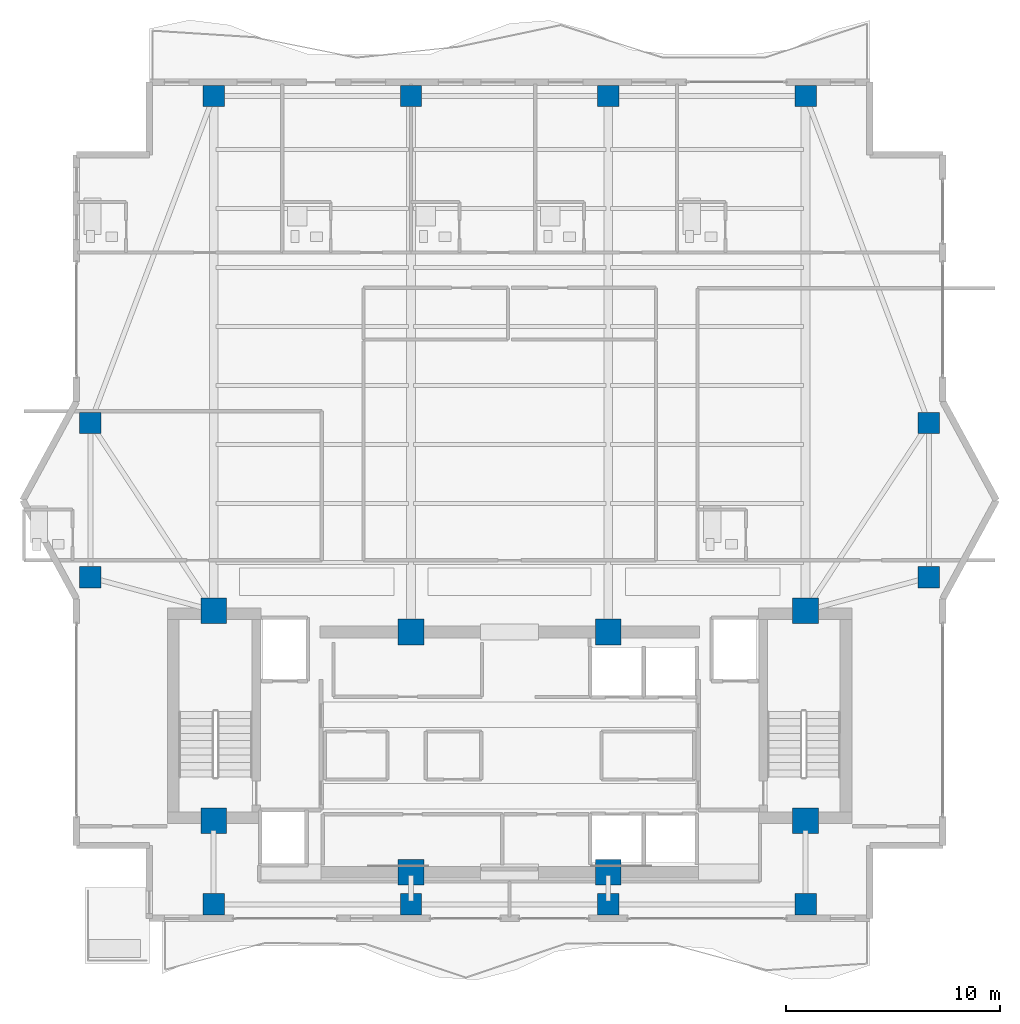
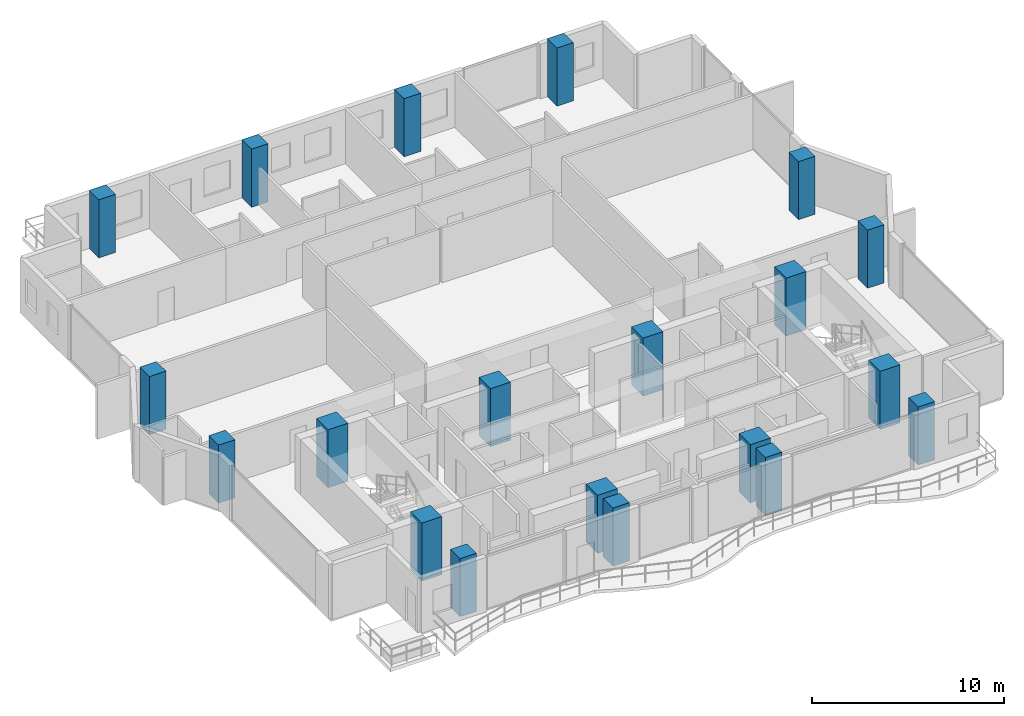
# One storey, part 1 of 25: 20 columns.
"""IFC4 building model written with IfcOpenShell, lengths in metres."""

from ifc_helpers import new_model, si_unit, direction, frame, origin, origin_2d, place, context, subcontext, project, spatial, rectangle, extrude, material, material_profile, profile_set, type_object, element, save


model = new_model("IFC4")

# Units and contexts
model_context = context("Model", 3, precision=1e-05, world=origin(), true_north=direction((0.0, 1.0)))
body_context = subcontext(model_context, "Body", "Model", "MODEL_VIEW")
ifc_project = project(units=[si_unit("LENGTHUNIT", "METRE"), si_unit("AREAUNIT", "SQUARE_METRE"), si_unit("VOLUMEUNIT", "CUBIC_METRE"), si_unit("PLANEANGLEUNIT", "RADIAN"), si_unit("MASSUNIT", "GRAM", prefix="KILO")], contexts=[model_context])

# Site, building, storey
site_placement = place(None, origin())
site = spatial("IfcSite", under=ifc_project, at=site_placement, CompositionType="ELEMENT")
building_placement = place(site_placement, origin())
building = spatial("IfcBuilding", under=site, at=building_placement, Name="Zuhayl Quay Hotel", CompositionType="ELEMENT")
storey_placement = place(building_placement, frame((0.0, 0.0, 243.35009765625)))
storey = spatial("IfcBuildingStorey", under=building, at=storey_placement, Name="L61", CompositionType="ELEMENT", Elevation=243.35009765625)

# Columns
ifc_material = material(Name="Concrete C60/75", Category="concrete")
ifc_material_profile_1 = material_profile(ifc_material, rectangle(XDim=1.199951171875, YDim=1.199951171875, at=origin_2d()), Name="RC1200X1200")
ifc_profile_set_1 = profile_set([ifc_material_profile_1], Name="Concrete C60/75")
column_type_1 = type_object("IfcColumnType", Name="CL_CC2_1200", PredefinedType="COLUMN", material=ifc_profile_set_1)
for number, where, z_axis, x_axis, name in (
    (1, (-13.800048828125, 14.35009765625, 0.0), (0.0, 0.0, 1.0), (1.0, 0.0, 0.0), "L61 Core Column CC_NW"),
    (2, (-4.60009765625, 13.35009765625, 0.0), (0.0, 0.0, 1.0), (1.0, 0.0, 0.0), "L61 Core Column CC_CNW"),
    (3, (4.60009765625, 13.35009765625, 0.0), (0.0, 0.0, 1.0), (1.0, 0.0, 0.0), "L61 Core Column CC_CNE"),
    (4, (13.800048828125, 14.35009765625, 0.0), (0.0, 0.0, 1.0), (1.0, 0.0, 0.0), "L61 Core Column CC_NE"),
    (5, (-13.800048828125, 4.550048828125, 0.0), (0.0, 0.0, 1.0), (1.0, 0.0, 0.0), "L61 Core Column CC_SW"),
    (6, (-4.60009765625, 2.14990234375, 0.0), (0.0, 0.0, 1.0), (1.0, 0.0, 0.0), "L61 Core Column CC_CSW"),
    (7, (4.60009765625, 2.14990234375, 0.0), (0.0, 0.0, 1.0), (1.0, 0.0, 0.0), "L61 Core Column CC_CSE"),
    (8, (13.800048828125, 4.550048828125, 0.0), (0.0, 0.0, 1.0), (1.0, 0.0, 0.0), "L61 Core Column CC_SE"),
):
    element("IfcColumn", number, at=place(storey_placement, frame(where, z_axis=z_axis, x_axis=x_axis)), inside=storey, type_object=column_type_1, Name=name, PredefinedType="COLUMN", context=body_context, shape_type="SweptSolid", body=[
        extrude(rectangle(XDim=1.199951171875, YDim=1.199951171875, at=origin_2d()), origin(), (0.0, 0.0, 1.0), 3.699951171875),
    ])
ifc_material_profile_2 = material_profile(ifc_material, rectangle(XDim=1.0, YDim=1.0, at=origin_2d()), Name="RC1000X1000")
ifc_profile_set_2 = profile_set([ifc_material_profile_2], Name="Concrete C60/75")
column_type_2 = type_object("IfcColumnType", Name="CL_MC4_1000", PredefinedType="COLUMN", material=ifc_profile_set_2)
for number, where, z_axis, x_axis, name in (
    (9, (-13.800048828125, 0.64990234375, 0.0), (0.0, 0.0, 1.0), (1.0, 0.0, 0.0), "L61 Mega-Column MC_S1"),
    (10, (-4.60009765625, 0.64990234375, 0.0), (0.0, 0.0, 1.0), (1.0, 0.0, 0.0), "L61 Mega-Column MC_S2"),
    (11, (4.60009765625, 0.64990234375, 0.0), (0.0, 0.0, 1.0), (1.0, 0.0, 0.0), "L61 Mega-Column MC_S3"),
    (12, (13.800048828125, 0.64990234375, 0.0), (0.0, 0.0, 1.0), (1.0, 0.0, 0.0), "L61 Mega-Column MC_S4"),
    (13, (-13.800048828125, 38.35009765625, 0.0), (0.0, 0.0, 1.0), (1.0, 0.0, 0.0), "L61 Mega-Column MC_N1"),
    (14, (-4.60009765625, 38.35009765625, 0.0), (0.0, 0.0, 1.0), (1.0, 0.0, 0.0), "L61 Mega-Column MC_N2"),
    (15, (4.60009765625, 38.35009765625, 0.0), (0.0, 0.0, 1.0), (1.0, 0.0, 0.0), "L61 Mega-Column MC_N3"),
    (16, (13.800048828125, 38.35009765625, 0.0), (0.0, 0.0, 1.0), (1.0, 0.0, 0.0), "L61 Mega-Column MC_N4"),
    (17, (-19.550048828125, 15.89990234375, 0.0), (0.0, 0.0, 1.0), (1.0, 0.0, 0.0), "L61 Mega-Column MC_W1"),
    (18, (-19.550048828125, 23.10009765625, 0.0), (0.0, 0.0, 1.0), (1.0, 0.0, 0.0), "L61 Mega-Column MC_W2"),
    (19, (19.550048828125, 15.89990234375, 0.0), (0.0, 0.0, 1.0), (1.0, 0.0, 0.0), "L61 Mega-Column MC_E1"),
    (20, (19.550048828125, 23.10009765625, 0.0), (0.0, 0.0, 1.0), (1.0, 0.0, 0.0), "L61 Mega-Column MC_E2"),
):
    element("IfcColumn", number, at=place(storey_placement, frame(where, z_axis=z_axis, x_axis=x_axis)), inside=storey, type_object=column_type_2, Name=name, PredefinedType="COLUMN", context=body_context, shape_type="SweptSolid", body=[
        extrude(rectangle(XDim=1.0, YDim=1.0, at=origin_2d()), origin(), (0.0, 0.0, 1.0), 3.699951171875),
    ])

save(model, "model.ifc")
